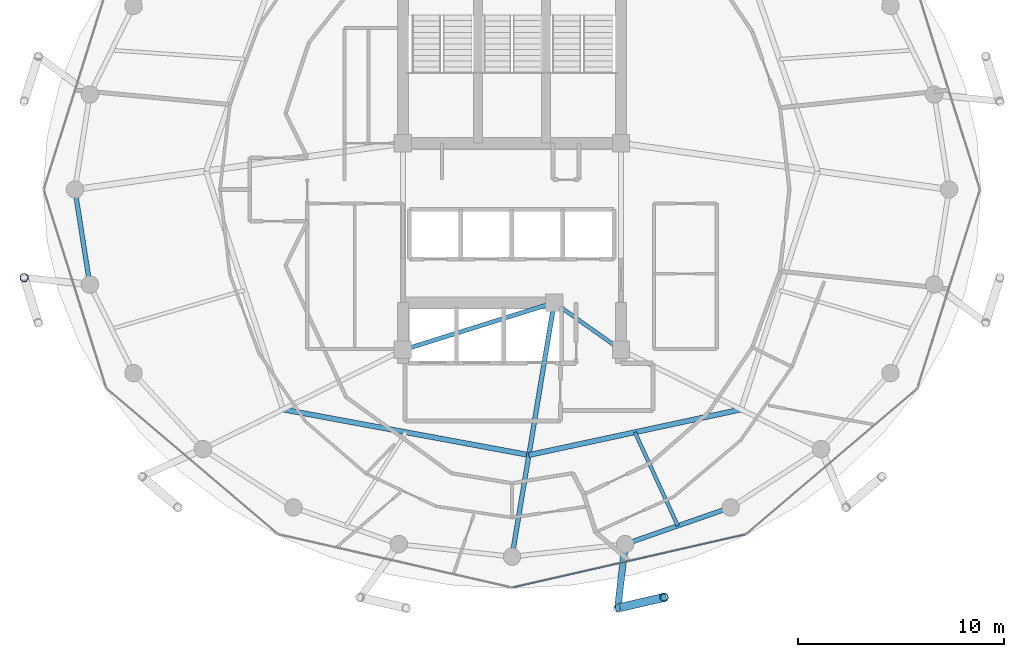
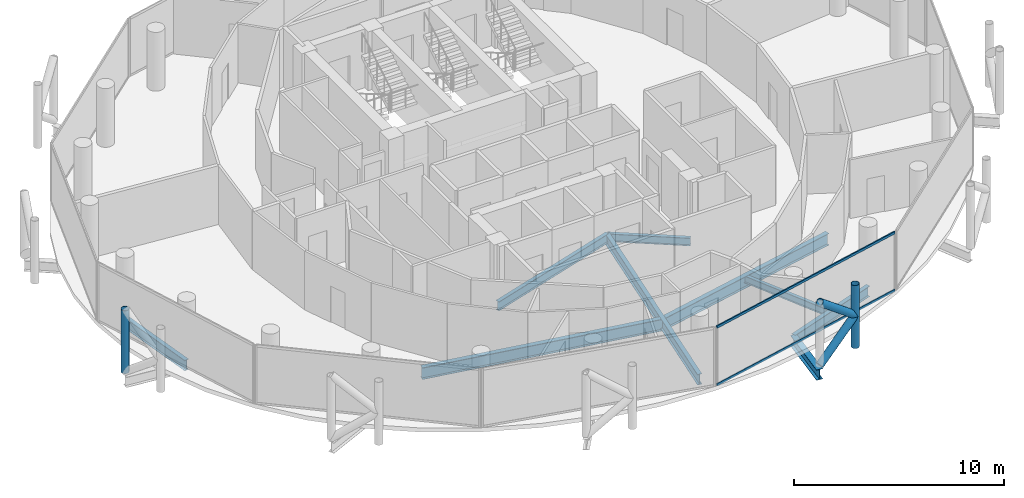
# One storey, part 6 of 27: 9 beams, 6 members, 1 element without a shape of its own.
"""IFC4 building model written with IfcOpenShell, lengths in metres."""

from ifc_helpers import new_model, si_unit, direction, frame, origin, origin_2d, place, context, subcontext, project, spatial, hollow_rectangle, hollow_circle, i_section, extrude, material, layer, layer_set, material_profile, profile_set, type_object, element, aggregate, save


model = new_model("IFC4")

# Units and contexts
model_context = context("Model", 3, precision=1e-05, world=origin(), true_north=direction((0.0, 1.0)))
body_context = subcontext(model_context, "Body", "Model", "MODEL_VIEW")
ifc_project = project(units=[si_unit("LENGTHUNIT", "METRE"), si_unit("AREAUNIT", "SQUARE_METRE"), si_unit("VOLUMEUNIT", "CUBIC_METRE"), si_unit("PLANEANGLEUNIT", "RADIAN"), si_unit("MASSUNIT", "GRAM", prefix="KILO")], contexts=[model_context])

# Site, building, storey
site_placement = place(None, origin())
site = spatial("IfcSite", under=ifc_project, at=site_placement, CompositionType="ELEMENT")
building_placement = place(site_placement, origin())
building = spatial("IfcBuilding", under=site, at=building_placement, Name="Nuhasar Tower", CompositionType="ELEMENT")
storey_placement = place(building_placement, frame((0.0, 0.0, 241.0)))
storey = spatial("IfcBuildingStorey", under=building, at=storey_placement, Name="L59", CompositionType="ELEMENT", Elevation=241.0)

# Beams
ifc_material_1 = material(Name="Steel S355", Category="steel")
ifc_material_profile_1 = material_profile(ifc_material_1, i_section(OverallWidth=0.25390625, OverallDepth=0.68408203125, WebThickness=0.012451171875, FlangeThickness=0.018798828125, at=origin_2d()), Name="W27X94")
ifc_profile_set_1 = profile_set([ifc_material_profile_1], Name="Steel S355")
beam_type_1 = type_object("IfcBeamType", Name="BM-INRING-W27X94", PredefinedType="BEAM", material=ifc_profile_set_1)
beam_1_placement = place(storey_placement, frame((27.864013671875, 16.10693359375, -0.58203125), z_axis=(0.983238439987, -0.182324354193, 0.0), x_axis=(0.182324354193, 0.983238439987, 0.0)))
element("IfcBeam", 1, at=beam_1_placement, inside=storey, type_object=beam_type_1, Name="L59 Inner Header Beam 01", PredefinedType="BEAM", context=body_context, shape_type="SweptSolid", body=[
    extrude(i_section(OverallWidth=0.25390625, OverallDepth=0.68408203125, WebThickness=0.012451171875, FlangeThickness=0.018798828125, at=origin_2d()), origin(), (0.0, 0.0, 1.0), 12.159912109375),
])
beam_2_placement = place(storey_placement, frame((39.820068359375, 13.889892578125, -0.58203125), z_axis=(0.977676275959, 0.210116870876, 0.0), x_axis=(-0.210116870876, 0.977676275959, 0.0)))
element("IfcBeam", 2, at=beam_2_placement, inside=storey, type_object=beam_type_1, Name="L59 Inner Header Beam 02", PredefinedType="BEAM", context=body_context, shape_type="SweptSolid", body=[
    extrude(i_section(OverallWidth=0.25390625, OverallDepth=0.68408203125, WebThickness=0.012451171875, FlangeThickness=0.018798828125, at=origin_2d()), origin(), (0.0, 0.0, 1.0), 10.551513671875),
])
ifc_material_profile_2 = material_profile(ifc_material_1, i_section(OverallWidth=0.177978515625, OverallDepth=0.406005859375, WebThickness=0.0078125, FlangeThickness=0.0126953125, at=origin_2d()), Name="W16X40")
ifc_profile_set_2 = profile_set([ifc_material_profile_2], Name="Steel S355")
beam_type_2 = type_object("IfcBeamType", Name="BM-JST-W16X40", PredefinedType="JOIST", material=ifc_profile_set_2)
beam_3_placement = place(storey_placement, frame((44.97802734375, 14.998046875, -0.443115234375), z_axis=(0.416562288184, -0.909107177434, 0.0), x_axis=(0.909107177434, 0.416562288184, 0.0)))
element("IfcBeam", 3, at=beam_3_placement, inside=storey, type_object=beam_type_2, Name="L59 Secondary Floor Joist 02", PredefinedType="JOIST", context=body_context, shape_type="SweptSolid", body=[
    extrude(i_section(OverallWidth=0.177978515625, OverallDepth=0.406005859375, WebThickness=0.0078125, FlangeThickness=0.0126953125, at=origin_2d()), origin(), (0.0, 0.0, 1.0), 5.0029296875),
])
ifc_material_profile_3 = material_profile(ifc_material_1, i_section(OverallWidth=0.18994140625, OverallDepth=0.45703125, WebThickness=0.009033203125, FlangeThickness=0.014404296875, at=origin_2d()), Name="W18X50")
ifc_profile_set_3 = profile_set([ifc_material_profile_3], Name="Steel S355")
beam_type_3 = type_object("IfcBeamType", Name="BM-RAD-W18X50", PredefinedType="BEAM", material=ifc_profile_set_3)
beam_4_placement = place(storey_placement, frame((41.050048828125, 21.300048828125, -0.468994140625), z_axis=(0.816265428953, -0.577677028708, 0.0), x_axis=(0.577677028708, 0.816265428953, 0.0)))
element("IfcBeam", 4, at=beam_4_placement, inside=storey, type_object=beam_type_3, Name="L59 Core Ring Girder 2", PredefinedType="BEAM", context=body_context, shape_type="SweptSolid", body=[
    extrude(i_section(OverallWidth=0.18994140625, OverallDepth=0.45703125, WebThickness=0.009033203125, FlangeThickness=0.014404296875, at=origin_2d()), origin(), (0.0, 0.0, 1.0), 3.9814453125),
])
ifc_material_profile_4 = material_profile(ifc_material_1, i_section(OverallWidth=0.208984375, OverallDepth=0.528076171875, WebThickness=0.009521484375, FlangeThickness=0.01318359375, at=origin_2d()), Name="W21X55")
ifc_profile_set_4 = profile_set([ifc_material_profile_4], Name="Steel S355")
beam_type_4 = type_object("IfcBeamType", Name="BM-RAD-W21X55", PredefinedType="BEAM", material=ifc_profile_set_4)
beam_5_placement = place(storey_placement, frame((33.699951171875, 19.0, -0.50390625), z_axis=(0.954363709454, 0.298646798205, 0.0), x_axis=(-0.298646798205, 0.954363709454, 0.0)))
element("IfcBeam", 5, at=beam_5_placement, inside=storey, type_object=beam_type_4, Name="L59 Core Ring Girder 1", PredefinedType="BEAM", context=body_context, shape_type="SweptSolid", body=[
    extrude(i_section(OverallWidth=0.208984375, OverallDepth=0.528076171875, WebThickness=0.009521484375, FlangeThickness=0.01318359375, at=origin_2d()), origin(), (0.0, 0.0, 1.0), 7.70166015625),
])
ifc_material_profile_5 = material_profile(ifc_material_1, i_section(OverallWidth=0.22900390625, OverallDepth=0.612060546875, WebThickness=0.011962890625, FlangeThickness=0.01953125, at=origin_2d()), Name="W24X84")
ifc_profile_set_5 = profile_set([ifc_material_profile_5], Name="Steel S355")
beam_type_5 = type_object("IfcBeamType", Name="BM-RAD-W24X84", PredefinedType="BEAM", material=ifc_profile_set_5)
beam_6_placement = place(storey_placement, frame((41.050048828125, 21.300048828125, -0.5458984375), z_axis=(-0.163753822517, -0.98650123447, 0.0), x_axis=(0.98650123447, -0.163753822517, 0.0)))
element("IfcBeam", 6, at=beam_6_placement, inside=storey, type_object=beam_type_5, Name="L59 Radial Floor Girder 02", PredefinedType="BEAM", context=body_context, shape_type="SweptSolid", body=[
    extrude(i_section(OverallWidth=0.22900390625, OverallDepth=0.612060546875, WebThickness=0.011962890625, FlangeThickness=0.01953125, at=origin_2d()), origin(), (0.0, 0.0, 1.0), 12.51904296875),
])
ifc_material_profile_6 = material_profile(ifc_material_1, i_section(OverallWidth=0.22802734375, OverallDepth=0.60791015625, WebThickness=0.01123046875, FlangeThickness=0.017333984375, at=origin_2d()), Name="W24X76")
ifc_profile_set_6 = profile_set([ifc_material_profile_6], Name="Steel S355")
beam_type_6 = type_object("IfcBeamType", Name="BM-RING-W24X76", PredefinedType="SPANDREL", material=ifc_profile_set_6)
beam_7_placement = place(storey_placement, frame((17.75, 26.800048828125, -0.5439453125), z_axis=(0.154841886404, -0.987939264436, 0.0), x_axis=(0.987939264436, 0.154841886404, 0.0)))
element("IfcBeam", 7, at=beam_7_placement, inside=storey, type_object=beam_type_6, Name="L59 Perimeter Ring Spandrel 13", PredefinedType="SPANDREL", context=body_context, shape_type="SweptSolid", body=[
    extrude(i_section(OverallWidth=0.22802734375, OverallDepth=0.60791015625, WebThickness=0.01123046875, FlangeThickness=0.017333984375, at=origin_2d()), origin(), (0.0, 0.0, 1.0), 4.676513671875),
])
beam_8_placement = place(storey_placement, frame((44.5, 9.55810546875, -0.5439453125), z_axis=(0.944476764686, 0.328578211342, 0.0), x_axis=(-0.328578211342, 0.944476764686, 0.0)))
element("IfcBeam", 8, at=beam_8_placement, inside=storey, type_object=beam_type_6, Name="L59 Perimeter Ring Spandrel 20", PredefinedType="SPANDREL", context=body_context, shape_type="SweptSolid", body=[
    extrude(i_section(OverallWidth=0.22802734375, OverallDepth=0.60791015625, WebThickness=0.01123046875, FlangeThickness=0.017333984375, at=origin_2d()), origin(), (0.0, 0.0, 1.0), 5.42626953125),
])
ifc_material_profile_7 = material_profile(ifc_material_1, i_section(OverallWidth=0.323974609375, OverallDepth=0.611083984375, WebThickness=0.0126953125, FlangeThickness=0.01904296875, at=origin_2d()), Name="W24X104")
ifc_profile_set_7 = profile_set([ifc_material_profile_7], Name="Steel S355")
beam_type_7 = type_object("IfcBeamType", Name="BM-TIE-W24X104", PredefinedType="BEAM", material=ifc_profile_set_7)
beam_9_placement = place(storey_placement, frame((44.5, 9.55810546875, -0.5458984375), z_axis=(-0.114123371392, -0.993466585297, 0.0), x_axis=(0.993466585297, -0.114123371392, 0.0)))
element("IfcBeam", 9, at=beam_9_placement, inside=storey, type_object=beam_type_7, Name="L59 Exoskeleton Node Tie Beam 10", PredefinedType="BEAM", context=body_context, shape_type="SweptSolid", body=[
    extrude(i_section(OverallWidth=0.323974609375, OverallDepth=0.611083984375, WebThickness=0.0126953125, FlangeThickness=0.01904296875, at=origin_2d()), origin(), (0.0, 0.0, 1.0), 3.127685546875),
])

# Curtain wall, members
ifc_material_2 = material(Name="Aluminium 6063-T6", Category="aluminium")
ifc_layer = layer(ifc_material_2, 0.18994140625)
ifc_layer_set = layer_set([ifc_layer], Name="Aluminium 6063-T6")
curtain_wall_type = type_object("IfcCurtainWallType", Name="CW-Z3-RES", PredefinedType="NOTDEFINED", material=ifc_layer_set)
curtain_wall_placement = place(storey_placement, origin())
curtain_wall = element("IfcCurtainWall", 10, at=curtain_wall_placement, inside=storey, type_object=curtain_wall_type, Name="L59 Unitised Curtain Wall 10", PredefinedType="NOTDEFINED")
ifc_material_profile_8 = material_profile(ifc_material_2, hollow_rectangle(XDim=0.06494140625, YDim=0.139892578125, WallThickness=0.00439453125, at=origin_2d()), Name="CWT-4")
ifc_profile_set_8 = profile_set([ifc_material_profile_8], Name="Aluminium 6063-T6")
member_type_1 = type_object("IfcMemberType", Name="CW-TRN-S4", PredefinedType="USERDEFINED", material=ifc_profile_set_8)
member_1_placement = place(storey_placement, frame((39.0634765625, 7.454345703125, 0.032470703125), z_axis=(0.974989487479, 0.222250982686, 0.0), x_axis=(-0.222250982686, 0.974989487479, 0.0)))
member_1 = element("IfcMember", 11, at=member_1_placement, type_object=member_type_1, Name="CW-Z3 transom 1.1", ObjectType="TRANSOM", PredefinedType="USERDEFINED", context=body_context, shape_type="SweptSolid", body=[
    extrude(hollow_rectangle(XDim=0.06494140625, YDim=0.139892578125, WallThickness=0.00439453125, at=origin_2d()), origin(), (0.0, 0.0, 1.0), 11.541748046875),
])
member_2_placement = place(storey_placement, frame((39.0634765625, 7.454345703125, 3.37744140625), z_axis=(0.974989487479, 0.222250982686, 0.0), x_axis=(-0.222250982686, 0.974989487479, 0.0)))
member_2 = element("IfcMember", 12, at=member_2_placement, type_object=member_type_1, Name="CW-Z3 transom 1.2", ObjectType="TRANSOM", PredefinedType="USERDEFINED", context=body_context, shape_type="SweptSolid", body=[
    extrude(hollow_rectangle(XDim=0.06494140625, YDim=0.139892578125, WallThickness=0.00439453125, at=origin_2d()), origin(), (0.0, 0.0, 1.0), 11.541748046875),
])
aggregate(curtain_wall, [member_1, member_2])

# Members
ifc_material_3 = material(Name="Steel S460", Category="steel")
ifc_material_profile_9 = material_profile(ifc_material_3, hollow_circle(Radius=0.203125, WallThickness=0.01904296875, at=origin_2d()), Name="HSS406.4X19.1")
ifc_profile_set_9 = profile_set([ifc_material_profile_9], Name="Steel S460")
member_type_2 = type_object("IfcMemberType", Name="EXO-BRONZE-406", PredefinedType="BRACE", material=ifc_profile_set_9)
for number, where, z_axis, x_axis, name in (
    (13, (15.281982421875, 22.513916015625, 0.0), (0.0, 0.0, 1.0), (1.0, 0.0, 0.0), "L59 Exoskeleton Chord Column EC-07A"),
    (14, (46.384033203125, 6.967041015625, 0.0), (0.0, 0.0, 1.0), (1.0, 0.0, 0.0), "L59 Exoskeleton Chord Column EC-10B"),
):
    element("IfcMember", number, at=place(storey_placement, frame(where, z_axis=z_axis, x_axis=x_axis)), inside=storey, type_object=member_type_2, Name=name, PredefinedType="BRACE", context=body_context, shape_type="SweptSolid", body=[
        extrude(hollow_circle(Radius=0.203125, WallThickness=0.01904296875, at=origin_2d()), origin(), (0.0, 0.0, 1.0), 3.64990234375),
    ])
for number, where, z_axis, x_axis, name in (
    (15, (44.14306640625, 6.450927734375, 0.0), (0.76333158458, 0.175801609086, 0.621625841021), (-0.224433035437, 0.97448951385, 0.0), "L59 Bronze Diagrid Brace W1-10"),
    (16, (46.384033203125, 6.967041015625, 1.824951171875), (-0.76333158458, -0.175801609086, 0.621625841021), (0.224433035437, -0.97448951385, 0.0), "L59 Bronze Diagrid Brace W2-10"),
):
    element("IfcMember", number, at=place(storey_placement, frame(where, z_axis=z_axis, x_axis=x_axis)), inside=storey, type_object=member_type_2, Name=name, PredefinedType="BRACE", context=body_context, shape_type="SweptSolid", body=[
        extrude(hollow_circle(Radius=0.203125, WallThickness=0.01904296875, at=origin_2d()), origin(), (0.0, 0.0, 1.0), 2.935791015625),
    ])

save(model, "model.ifc")
